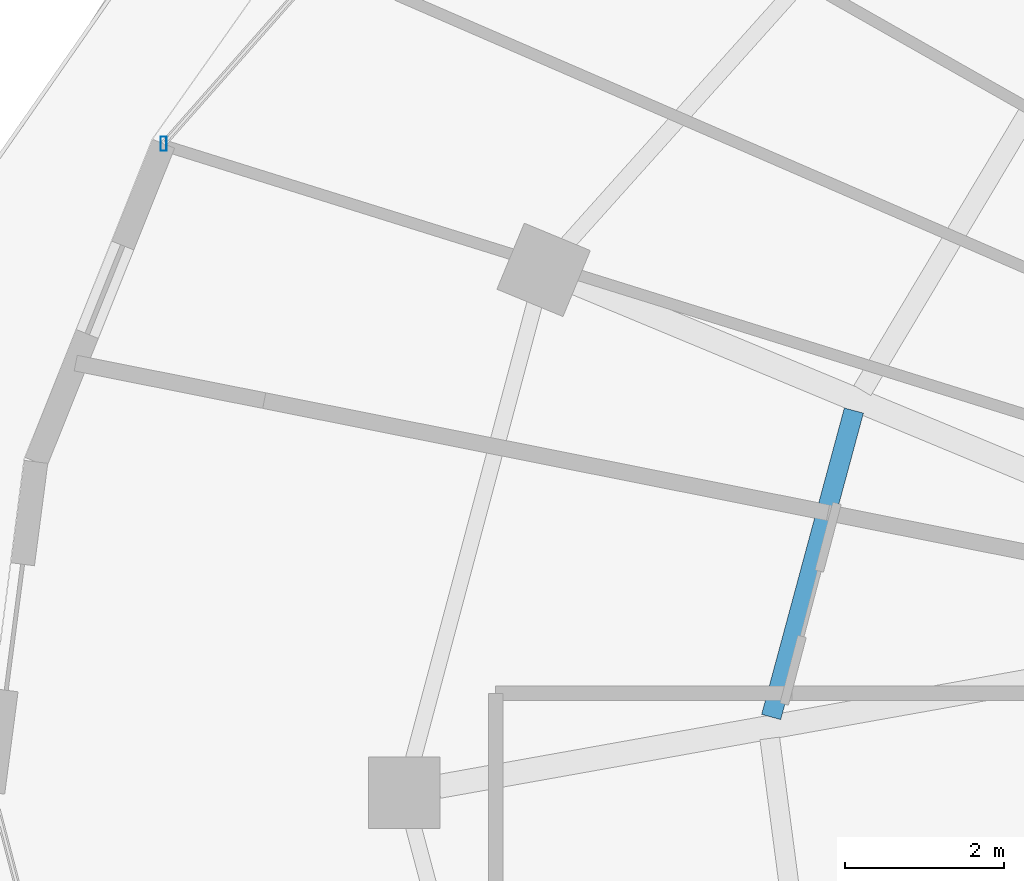
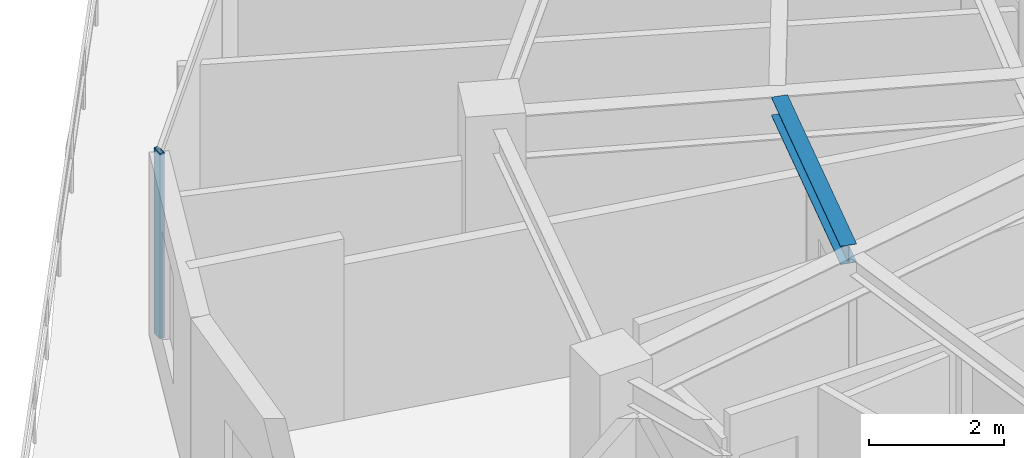
# One storey, part 9 of 34: 1 beam, 1 member, 1 element without a shape of its own.
"""IFC4 building model written with IfcOpenShell, lengths in metres."""

from ifc_helpers import new_model, si_unit, direction, frame, origin, origin_2d, place, context, subcontext, project, spatial, hollow_rectangle, i_section, extrude, material, material_profile, profile_set, type_object, element, aggregate, save


model = new_model("IFC4")

# Units and contexts
model_context = context("Model", 3, precision=1e-05, world=origin(), true_north=direction((0.0, 1.0)))
body_context = subcontext(model_context, "Body", "Model", "MODEL_VIEW")
ifc_project = project(units=[si_unit("LENGTHUNIT", "METRE"), si_unit("AREAUNIT", "SQUARE_METRE"), si_unit("VOLUMEUNIT", "CUBIC_METRE"), si_unit("PLANEANGLEUNIT", "RADIAN"), si_unit("MASSUNIT", "GRAM", prefix="KILO")], contexts=[model_context])

# Site, building, storey
site_placement = place(None, origin())
site = spatial("IfcSite", under=ifc_project, at=site_placement, CompositionType="ELEMENT")
building_placement = place(site_placement, origin())
building = spatial("IfcBuilding", under=site, at=building_placement, Name="Vorneva Point Tower", CompositionType="ELEMENT")
storey_placement = place(building_placement, frame((0.0, 0.0, 214.300048828125)))
storey = spatial("IfcBuildingStorey", under=building, at=storey_placement, Name="L58", CompositionType="ELEMENT", Elevation=214.300048828125)

# Beam
ifc_material_1 = material(Name="Steel S355", Category="steel")
ifc_material_profile_1 = material_profile(ifc_material_1, i_section(OverallWidth=0.2490234375, OverallDepth=0.333984375, WebThickness=0.008056640625, FlangeThickness=0.010986328125, at=origin_2d()), Name="35Sh1")
ifc_profile_set_1 = profile_set([ifc_material_profile_1], Name="Steel S355")
beam_type = type_object("IfcBeamType", Name="BM-SEC-35Sh1", PredefinedType="BEAM", material=ifc_profile_set_1)
beam_placement = place(storey_placement, frame((20.61083984375, 30.810791015625, 3.123046875), z_axis=(-0.260635102056, -0.965437384596, 0.0), x_axis=(0.965437384596, -0.260635102056, 0.0)))
element("IfcBeam", 1, at=beam_placement, inside=storey, type_object=beam_type, Name="L58 Secondary Floor Beam 1.08", PredefinedType="BEAM", context=body_context, shape_type="SweptSolid", body=[
    extrude(i_section(OverallWidth=0.2490234375, OverallDepth=0.333984375, WebThickness=0.008056640625, FlangeThickness=0.010986328125, at=origin_2d()), origin(), (0.0, 0.0, 1.0), 3.99609375),
])

# Curtain wall, member
ifc_material_2 = material(Name="Pale anodised aluminium", Category="aluminium")
curtain_wall_type = type_object("IfcCurtainWallType", Name="CW-RES-SYS", PredefinedType="NOTDEFINED", material=ifc_material_2)
curtain_wall_placement = place(storey_placement, origin())
curtain_wall = element("IfcCurtainWall", 2, at=curtain_wall_placement, inside=storey, type_object=curtain_wall_type, Name="L58 Unitised Curtain Wall CW-L58-R02", PredefinedType="NOTDEFINED")
ifc_material_profile_2 = material_profile(ifc_material_2, hollow_rectangle(XDim=0.074951171875, YDim=0.179931640625, WallThickness=0.00390625, at=origin_2d()), Name="AL-MUL 180x75x4")
ifc_profile_set_2 = profile_set([ifc_material_profile_2], Name="Pale anodised aluminium")
member_type = type_object("IfcMemberType", Name="CW-MUL-180", PredefinedType="MULLION", material=ifc_profile_set_2)
member_placement = place(storey_placement, frame((11.9189453125, 34.17041015625, -0.0400390625), z_axis=(0.0, 0.0, 1.0), x_axis=(1.0, 0.0, 0.0)))
member = element("IfcMember", 3, at=member_placement, type_object=member_type, Name="CW-L58-R02 Mullion 06", PredefinedType="MULLION", context=body_context, shape_type="SweptSolid", body=[
    extrude(hollow_rectangle(XDim=0.074951171875, YDim=0.179931640625, WallThickness=0.00390625, at=origin_2d()), origin(), (0.0, 0.0, 1.0), 3.360107421875),
])
aggregate(curtain_wall, [member])

save(model, "model.ifc")
